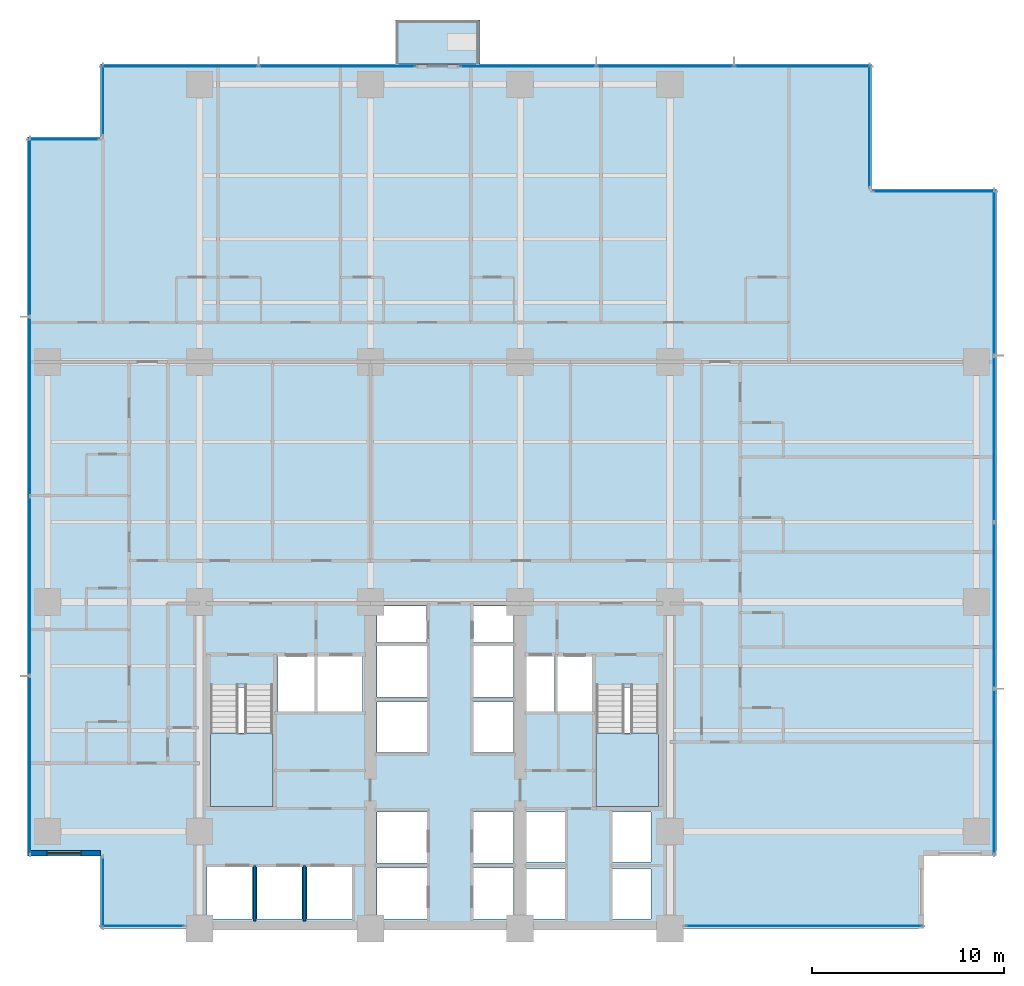
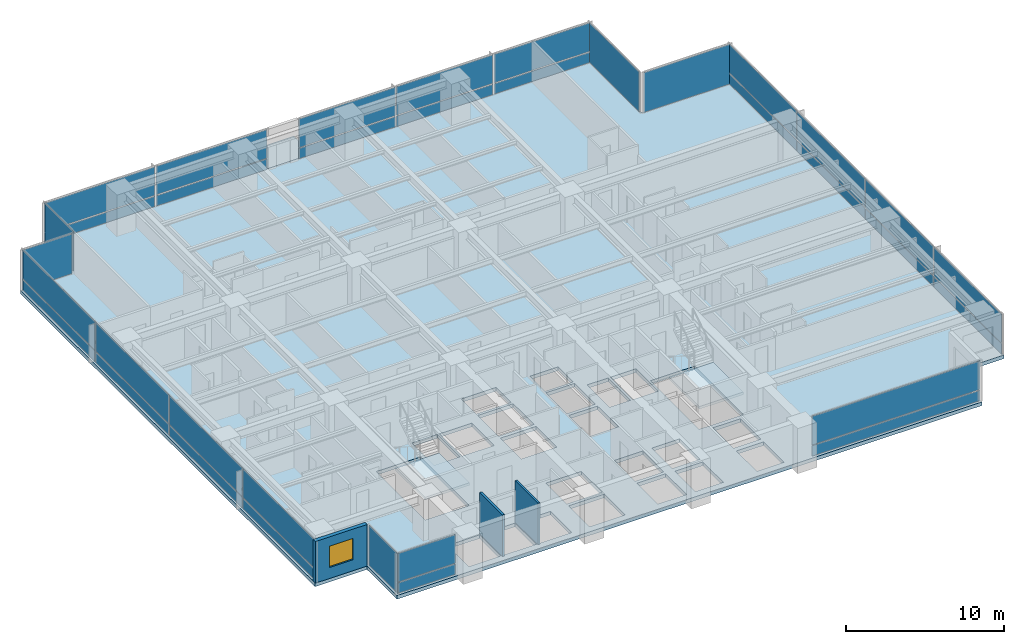
# One storey, part 6 of 16: 35 plates, 4 slabs, 3 walls, 1 window, 1 opening, 13 elements without a shape of their own.
"""IFC4 building model written with IfcOpenShell, lengths in metres."""

from ifc_helpers import new_model, si_unit, direction, frame, frame_2d, origin, origin_2d, place, context, subcontext, project, spatial, polyline, rectangle, outline, extrude, material, layer, layer_set, type_object, element, fill, aggregate, save


model = new_model("IFC4")

# Units and contexts
model_context = context("Model", 3, precision=1e-05, world=origin(), true_north=direction((0.0, 1.0)))
body_context = subcontext(model_context, "Body", "Model", "MODEL_VIEW")
ifc_project = project(units=[si_unit("LENGTHUNIT", "METRE"), si_unit("AREAUNIT", "SQUARE_METRE"), si_unit("VOLUMEUNIT", "CUBIC_METRE"), si_unit("PLANEANGLEUNIT", "RADIAN"), si_unit("MASSUNIT", "GRAM", prefix="KILO")], contexts=[model_context])

# Site, building, storey
site_placement = place(None, origin())
site = spatial("IfcSite", under=ifc_project, at=site_placement, CompositionType="ELEMENT")
building_placement = place(site_placement, origin())
building = spatial("IfcBuilding", under=site, at=building_placement, Name="Qalmaran Belvedere Hotel", CompositionType="ELEMENT")
storey_placement = place(building_placement, frame((0.0, 0.0, 36.89990234375)))
storey = spatial("IfcBuildingStorey", under=building, at=storey_placement, Name="L08", CompositionType="ELEMENT", Elevation=36.89990234375)

# Curtain wall, plate
ifc_material_1 = material(Name="Anodised Bronze Aluminium", Category="aluminium")
ifc_layer_1 = layer(ifc_material_1, 0.2099609375, Name="Anodised Bronze Aluminium")
ifc_layer_set_1 = layer_set([ifc_layer_1], Name="Anodised Bronze Aluminium")
curtain_wall_type = type_object("IfcCurtainWallType", Name="CW2-TOWER-LOWER", PredefinedType="NOTDEFINED", material=ifc_layer_set_1)
curtain_wall_1_placement = place(storey_placement, origin())
curtain_wall_1 = element("IfcCurtainWall", 1, at=curtain_wall_1_placement, inside=storey, type_object=curtain_wall_type, Name="L08 Curtain Wall CW2", PredefinedType="NOTDEFINED")
ifc_material_2 = material(Name="Anodised Bronze Spandrel Panel")
ifc_layer_2 = layer(ifc_material_2, 0.035888671875, Name="Anodised Bronze Spandrel Panel")
ifc_layer_set_2 = layer_set([ifc_layer_2], Name="Anodised Bronze Spandrel Panel")
plate_type_1 = type_object("IfcPlateType", Name="CWP-SPANDREL-36", PredefinedType="CURTAIN_PANEL", material=ifc_layer_set_2)
plate_1_placement = place(storey_placement, frame((17.35498046875, 3.6201171875, 0.0703125), z_axis=(0.0, 0.0, 1.0), x_axis=(1.0, 0.0, 0.0)))
plate_1 = element("IfcPlate", 2, at=plate_1_placement, type_object=plate_type_1, Name="CW2 panel 1.1", PredefinedType="CURTAIN_PANEL", context=body_context, shape_type="SweptSolid", body=[
    extrude(rectangle(XDim=4.260009765625, YDim=0.035888671875, at=origin_2d()), origin(), (0.0, 0.0, 1.0), 0.796630859375),
])

curtain_wall_2_placement = place(storey_placement, origin())
curtain_wall_2 = element("IfcCurtainWall", 3, at=curtain_wall_2_placement, inside=storey, type_object=curtain_wall_type, Name="L08 Curtain Wall CW2", PredefinedType="NOTDEFINED")
plate_2_placement = place(storey_placement, frame((51.77001953125, 3.6201171875, 0.0703125), z_axis=(0.0, 0.0, 1.0), x_axis=(1.0, 0.0, 0.0)))
plate_2 = element("IfcPlate", 4, at=plate_2_placement, type_object=plate_type_1, Name="CW2 panel 1.1", PredefinedType="CURTAIN_PANEL", context=body_context, shape_type="SweptSolid", body=[
    extrude(rectangle(XDim=12.31005859375, YDim=0.035888671875, at=origin_2d()), origin(), (0.0, 0.0, 1.0), 0.796630859375),
])

# Curtain wall, plates
curtain_wall_3_placement = place(storey_placement, origin())
curtain_wall_3 = element("IfcCurtainWall", 5, at=curtain_wall_3_placement, inside=storey, type_object=curtain_wall_type, Name="L08 Curtain Wall CW2", PredefinedType="NOTDEFINED")
plate_3_placement = place(storey_placement, frame((61.679931640625, 11.65625, 0.0703125), z_axis=(0.0, 0.0, 1.0), x_axis=(0.0, 1.0, 0.0)))
plate_3 = element("IfcPlate", 6, at=plate_3_placement, type_object=plate_type_1, Name="CW2 panel 1.1", PredefinedType="CURTAIN_PANEL", context=body_context, shape_type="SweptSolid", body=[
    extrude(rectangle(XDim=8.5625, YDim=0.035888671875, at=origin_2d()), origin(), (0.0, 0.0, 1.0), 0.796630859375),
])
plate_4_placement = place(storey_placement, frame((61.679931640625, 20.3125, 0.0703125), z_axis=(0.0, 0.0, 1.0), x_axis=(0.0, 1.0, 0.0)))
plate_4 = element("IfcPlate", 7, at=plate_4_placement, type_object=plate_type_1, Name="CW2 panel 2.1", PredefinedType="CURTAIN_PANEL", context=body_context, shape_type="SweptSolid", body=[
    extrude(rectangle(XDim=8.60009765625, YDim=0.035888671875, at=origin_2d()), origin(), (0.0, 0.0, 1.0), 0.796630859375),
])
plate_5_placement = place(storey_placement, frame((61.679931640625, 28.987548828125, 0.0703125), z_axis=(0.0, 0.0, 1.0), x_axis=(0.0, 1.0, 0.0)))
plate_5 = element("IfcPlate", 8, at=plate_5_placement, type_object=plate_type_1, Name="CW2 panel 3.1", PredefinedType="CURTAIN_PANEL", context=body_context, shape_type="SweptSolid", body=[
    extrude(rectangle(XDim=8.60009765625, YDim=0.035888671875, at=origin_2d()), origin(), (0.0, 0.0, 1.0), 0.796630859375),
])
plate_6_placement = place(storey_placement, frame((61.679931640625, 37.643798828125, 0.0703125), z_axis=(0.0, 0.0, 1.0), x_axis=(0.0, 1.0, 0.0)))
plate_6 = element("IfcPlate", 9, at=plate_6_placement, type_object=plate_type_1, Name="CW2 panel 4.1", PredefinedType="CURTAIN_PANEL", context=body_context, shape_type="SweptSolid", body=[
    extrude(rectangle(XDim=8.5625, YDim=0.035888671875, at=origin_2d()), origin(), (0.0, 0.0, 1.0), 0.796630859375),
])

curtain_wall_4_placement = place(storey_placement, origin())
curtain_wall_4 = element("IfcCurtainWall", 10, at=curtain_wall_4_placement, inside=storey, type_object=curtain_wall_type, Name="L08 Curtain Wall CW2", PredefinedType="NOTDEFINED")
plate_7_placement = place(storey_placement, frame((27.46875, 48.3798828125, 0.0703125), z_axis=(0.0, 0.0, 1.0), x_axis=(-1.0, 0.0, 0.0)))
plate_7 = element("IfcPlate", 11, at=plate_7_placement, type_object=plate_type_1, Name="CW2 panel 1.1", PredefinedType="CURTAIN_PANEL", context=body_context, shape_type="SweptSolid", body=[
    extrude(rectangle(XDim=8.112548828125, YDim=0.035888671875, at=origin_2d()), origin(), (0.0, 0.0, 1.0), 0.796630859375),
])
plate_8_placement = place(storey_placement, frame((19.28125, 48.3798828125, 0.0703125), z_axis=(0.0, 0.0, 1.0), x_axis=(-1.0, 0.0, 0.0)))
plate_8 = element("IfcPlate", 12, at=plate_8_placement, type_object=plate_type_1, Name="CW2 panel 2.1", PredefinedType="CURTAIN_PANEL", context=body_context, shape_type="SweptSolid", body=[
    extrude(rectangle(XDim=8.112548828125, YDim=0.035888671875, at=origin_2d()), origin(), (0.0, 0.0, 1.0), 0.796630859375),
])

curtain_wall_5_placement = place(storey_placement, origin())
curtain_wall_5 = element("IfcCurtainWall", 13, at=curtain_wall_5_placement, inside=storey, type_object=curtain_wall_type, Name="L08 Curtain Wall CW2", PredefinedType="NOTDEFINED")
plate_9_placement = place(storey_placement, frame((51.697998046875, 48.3798828125, 0.0703125), z_axis=(0.0, 0.0, 1.0), x_axis=(-1.0, 0.0, 0.0)))
plate_9 = element("IfcPlate", 14, at=plate_9_placement, type_object=plate_type_1, Name="CW2 panel 1.1", PredefinedType="CURTAIN_PANEL", context=body_context, shape_type="SweptSolid", body=[
    extrude(rectangle(XDim=7.05419921875, YDim=0.035888671875, at=origin_2d()), origin(), (0.0, 0.0, 1.0), 0.796630859375),
])
plate_10_placement = place(storey_placement, frame((44.550048828125, 48.3798828125, 0.0703125), z_axis=(0.0, 0.0, 1.0), x_axis=(-1.0, 0.0, 0.0)))
plate_10 = element("IfcPlate", 15, at=plate_10_placement, type_object=plate_type_1, Name="CW2 panel 2.1", PredefinedType="CURTAIN_PANEL", context=body_context, shape_type="SweptSolid", body=[
    extrude(rectangle(XDim=7.091552734375, YDim=0.035888671875, at=origin_2d()), origin(), (0.0, 0.0, 1.0), 0.796630859375),
])
plate_11_placement = place(storey_placement, frame((37.402099609375, 48.3798828125, 0.0703125), z_axis=(0.0, 0.0, 1.0), x_axis=(-1.0, 0.0, 0.0)))
plate_11 = element("IfcPlate", 16, at=plate_11_placement, type_object=plate_type_1, Name="CW2 panel 3.1", PredefinedType="CURTAIN_PANEL", context=body_context, shape_type="SweptSolid", body=[
    extrude(rectangle(XDim=7.05419921875, YDim=0.035888671875, at=origin_2d()), origin(), (0.0, 0.0, 1.0), 0.796630859375),
])

curtain_wall_6_placement = place(storey_placement, origin())
curtain_wall_6 = element("IfcCurtainWall", 17, at=curtain_wall_6_placement, inside=storey, type_object=curtain_wall_type, Name="L08 Curtain Wall CW2", PredefinedType="NOTDEFINED")
plate_12_placement = place(storey_placement, frame((11.469970703125, 40.00634765625, 0.0703125), z_axis=(0.0, 0.0, 1.0), x_axis=(0.0, -1.0, 0.0)))
plate_12 = element("IfcPlate", 18, at=plate_12_placement, type_object=plate_type_1, Name="CW2 panel 1.1", PredefinedType="CURTAIN_PANEL", context=body_context, shape_type="SweptSolid", body=[
    extrude(rectangle(XDim=9.237548828125, YDim=0.035888671875, at=origin_2d()), origin(), (0.0, 0.0, 1.0), 0.796630859375),
])
plate_13_placement = place(storey_placement, frame((11.469970703125, 30.675048828125, 0.0703125), z_axis=(0.0, 0.0, 1.0), x_axis=(0.0, -1.0, 0.0)))
plate_13 = element("IfcPlate", 19, at=plate_13_placement, type_object=plate_type_1, Name="CW2 panel 2.1", PredefinedType="CURTAIN_PANEL", context=body_context, shape_type="SweptSolid", body=[
    extrude(rectangle(XDim=9.27490234375, YDim=0.035888671875, at=origin_2d()), origin(), (0.0, 0.0, 1.0), 0.796630859375),
])
plate_14_placement = place(storey_placement, frame((11.469970703125, 21.324951171875, 0.0703125), z_axis=(0.0, 0.0, 1.0), x_axis=(0.0, -1.0, 0.0)))
plate_14 = element("IfcPlate", 20, at=plate_14_placement, type_object=plate_type_1, Name="CW2 panel 3.1", PredefinedType="CURTAIN_PANEL", context=body_context, shape_type="SweptSolid", body=[
    extrude(rectangle(XDim=9.27490234375, YDim=0.035888671875, at=origin_2d()), origin(), (0.0, 0.0, 1.0), 0.796630859375),
])
plate_15_placement = place(storey_placement, frame((11.469970703125, 11.99365234375, 0.0703125), z_axis=(0.0, 0.0, 1.0), x_axis=(0.0, -1.0, 0.0)))
plate_15 = element("IfcPlate", 21, at=plate_15_placement, type_object=plate_type_1, Name="CW2 panel 4.1", PredefinedType="CURTAIN_PANEL", context=body_context, shape_type="SweptSolid", body=[
    extrude(rectangle(XDim=9.237548828125, YDim=0.035888671875, at=origin_2d()), origin(), (0.0, 0.0, 1.0), 0.796630859375),
])

# Plate
ifc_material_3 = material(Name="Solar-Control Double Glazing", Category="glass")
ifc_layer_3 = layer(ifc_material_3, 0.028076171875, Name="Solar-Control Double Glazing")
ifc_layer_set_3 = layer_set([ifc_layer_3], Name="Solar-Control Double Glazing")
plate_type_2 = type_object("IfcPlateType", Name="CWP-VISION-28", PredefinedType="CURTAIN_PANEL", material=ifc_layer_set_3)
plate_16_placement = place(storey_placement, frame((17.35498046875, 3.6201171875, 0.936767578125), z_axis=(0.0, 0.0, 1.0), x_axis=(1.0, 0.0, 0.0)))
plate_16 = element("IfcPlate", 22, at=plate_16_placement, type_object=plate_type_2, Name="CW2 panel 1.2", PredefinedType="CURTAIN_PANEL", context=body_context, shape_type="SweptSolid", body=[
    extrude(rectangle(XDim=4.260009765625, YDim=0.028076171875, at=origin_2d()), origin(), (0.0, 0.0, 1.0), 2.21337890625),
])

aggregate(curtain_wall_1, [plate_1, plate_16])

plate_17_placement = place(storey_placement, frame((51.77001953125, 3.6201171875, 0.936767578125), z_axis=(0.0, 0.0, 1.0), x_axis=(1.0, 0.0, 0.0)))
plate_17 = element("IfcPlate", 23, at=plate_17_placement, type_object=plate_type_2, Name="CW2 panel 1.2", PredefinedType="CURTAIN_PANEL", context=body_context, shape_type="SweptSolid", body=[
    extrude(rectangle(XDim=12.31005859375, YDim=0.028076171875, at=origin_2d()), origin(), (0.0, 0.0, 1.0), 2.21337890625),
])

aggregate(curtain_wall_2, [plate_2, plate_17])

plate_18_placement = place(storey_placement, frame((61.679931640625, 11.65625, 0.936767578125), z_axis=(0.0, 0.0, 1.0), x_axis=(0.0, 1.0, 0.0)))
plate_18 = element("IfcPlate", 24, at=plate_18_placement, type_object=plate_type_2, Name="CW2 panel 1.2", PredefinedType="CURTAIN_PANEL", context=body_context, shape_type="SweptSolid", body=[
    extrude(rectangle(XDim=8.5625, YDim=0.028076171875, at=origin_2d()), origin(), (0.0, 0.0, 1.0), 2.21337890625),
])

plate_19_placement = place(storey_placement, frame((61.679931640625, 20.3125, 0.936767578125), z_axis=(0.0, 0.0, 1.0), x_axis=(0.0, 1.0, 0.0)))
plate_19 = element("IfcPlate", 25, at=plate_19_placement, type_object=plate_type_2, Name="CW2 panel 2.2", PredefinedType="CURTAIN_PANEL", context=body_context, shape_type="SweptSolid", body=[
    extrude(rectangle(XDim=8.60009765625, YDim=0.028076171875, at=origin_2d()), origin(), (0.0, 0.0, 1.0), 2.21337890625),
])

plate_20_placement = place(storey_placement, frame((61.679931640625, 28.987548828125, 0.936767578125), z_axis=(0.0, 0.0, 1.0), x_axis=(0.0, 1.0, 0.0)))
plate_20 = element("IfcPlate", 26, at=plate_20_placement, type_object=plate_type_2, Name="CW2 panel 3.2", PredefinedType="CURTAIN_PANEL", context=body_context, shape_type="SweptSolid", body=[
    extrude(rectangle(XDim=8.60009765625, YDim=0.028076171875, at=origin_2d()), origin(), (0.0, 0.0, 1.0), 2.21337890625),
])

plate_21_placement = place(storey_placement, frame((61.679931640625, 37.643798828125, 0.936767578125), z_axis=(0.0, 0.0, 1.0), x_axis=(0.0, 1.0, 0.0)))
plate_21 = element("IfcPlate", 27, at=plate_21_placement, type_object=plate_type_2, Name="CW2 panel 4.2", PredefinedType="CURTAIN_PANEL", context=body_context, shape_type="SweptSolid", body=[
    extrude(rectangle(XDim=8.5625, YDim=0.028076171875, at=origin_2d()), origin(), (0.0, 0.0, 1.0), 2.21337890625),
])

aggregate(curtain_wall_3, [plate_3, plate_18, plate_4, plate_19, plate_5, plate_20, plate_6, plate_21])

# Curtain wall, plate
curtain_wall_7_placement = place(storey_placement, origin())
curtain_wall_7 = element("IfcCurtainWall", 28, at=curtain_wall_7_placement, inside=storey, type_object=curtain_wall_type, Name="L08 Curtain Wall CW2", PredefinedType="NOTDEFINED")
plate_22_placement = place(storey_placement, frame((58.550048828125, 41.8798828125, 0.070068359375), z_axis=(0.0, 0.0, 1.0), x_axis=(-1.0, 0.0, 0.0)))
plate_22 = element("IfcPlate", 29, at=plate_22_placement, type_object=plate_type_2, Name="CW2 panel 1.1", PredefinedType="CURTAIN_PANEL", context=body_context, shape_type="SweptSolid", body=[
    extrude(rectangle(XDim=6.35009765625, YDim=0.028076171875, at=origin_2d()), origin(), (0.0, 0.0, 1.0), 3.080078125),
])
aggregate(curtain_wall_7, [plate_22])

curtain_wall_8_placement = place(storey_placement, origin())
curtain_wall_8 = element("IfcCurtainWall", 30, at=curtain_wall_8_placement, inside=storey, type_object=curtain_wall_type, Name="L08 Curtain Wall CW2", PredefinedType="NOTDEFINED")
plate_23_placement = place(storey_placement, frame((55.179931640625, 45.25, 0.070068359375), z_axis=(0.0, 0.0, 1.0), x_axis=(0.0, 1.0, 0.0)))
plate_23 = element("IfcPlate", 31, at=plate_23_placement, type_object=plate_type_2, Name="CW2 panel 1.1", PredefinedType="CURTAIN_PANEL", context=body_context, shape_type="SweptSolid", body=[
    extrude(rectangle(XDim=6.35009765625, YDim=0.028076171875, at=origin_2d()), origin(), (0.0, 0.0, 1.0), 3.080078125),
])
aggregate(curtain_wall_8, [plate_23])

# Plate
plate_24_placement = place(storey_placement, frame((27.46875, 48.3798828125, 0.936767578125), z_axis=(0.0, 0.0, 1.0), x_axis=(-1.0, 0.0, 0.0)))
plate_24 = element("IfcPlate", 32, at=plate_24_placement, type_object=plate_type_2, Name="CW2 panel 1.2", PredefinedType="CURTAIN_PANEL", context=body_context, shape_type="SweptSolid", body=[
    extrude(rectangle(XDim=8.112548828125, YDim=0.028076171875, at=origin_2d()), origin(), (0.0, 0.0, 1.0), 2.21337890625),
])

plate_25_placement = place(storey_placement, frame((19.28125, 48.3798828125, 0.936767578125), z_axis=(0.0, 0.0, 1.0), x_axis=(-1.0, 0.0, 0.0)))
plate_25 = element("IfcPlate", 33, at=plate_25_placement, type_object=plate_type_2, Name="CW2 panel 2.2", PredefinedType="CURTAIN_PANEL", context=body_context, shape_type="SweptSolid", body=[
    extrude(rectangle(XDim=8.112548828125, YDim=0.028076171875, at=origin_2d()), origin(), (0.0, 0.0, 1.0), 2.21337890625),
])

aggregate(curtain_wall_4, [plate_7, plate_24, plate_8, plate_25])

plate_26_placement = place(storey_placement, frame((51.697998046875, 48.3798828125, 0.936767578125), z_axis=(0.0, 0.0, 1.0), x_axis=(-1.0, 0.0, 0.0)))
plate_26 = element("IfcPlate", 34, at=plate_26_placement, type_object=plate_type_2, Name="CW2 panel 1.2", PredefinedType="CURTAIN_PANEL", context=body_context, shape_type="SweptSolid", body=[
    extrude(rectangle(XDim=7.05419921875, YDim=0.028076171875, at=origin_2d()), origin(), (0.0, 0.0, 1.0), 2.21337890625),
])

plate_27_placement = place(storey_placement, frame((44.550048828125, 48.3798828125, 0.936767578125), z_axis=(0.0, 0.0, 1.0), x_axis=(-1.0, 0.0, 0.0)))
plate_27 = element("IfcPlate", 35, at=plate_27_placement, type_object=plate_type_2, Name="CW2 panel 2.2", PredefinedType="CURTAIN_PANEL", context=body_context, shape_type="SweptSolid", body=[
    extrude(rectangle(XDim=7.091552734375, YDim=0.028076171875, at=origin_2d()), origin(), (0.0, 0.0, 1.0), 2.21337890625),
])

plate_28_placement = place(storey_placement, frame((37.402099609375, 48.3798828125, 0.936767578125), z_axis=(0.0, 0.0, 1.0), x_axis=(-1.0, 0.0, 0.0)))
plate_28 = element("IfcPlate", 36, at=plate_28_placement, type_object=plate_type_2, Name="CW2 panel 3.2", PredefinedType="CURTAIN_PANEL", context=body_context, shape_type="SweptSolid", body=[
    extrude(rectangle(XDim=7.05419921875, YDim=0.028076171875, at=origin_2d()), origin(), (0.0, 0.0, 1.0), 2.21337890625),
])

aggregate(curtain_wall_5, [plate_9, plate_26, plate_10, plate_27, plate_11, plate_28])

# Curtain wall, plate
curtain_wall_9_placement = place(storey_placement, origin())
curtain_wall_9 = element("IfcCurtainWall", 37, at=curtain_wall_9_placement, inside=storey, type_object=curtain_wall_type, Name="L08 Curtain Wall CW2", PredefinedType="NOTDEFINED")
plate_29_placement = place(storey_placement, frame((15.27001953125, 46.60009765625, 0.070068359375), z_axis=(0.0, 0.0, 1.0), x_axis=(0.0, -1.0, 0.0)))
plate_29 = element("IfcPlate", 38, at=plate_29_placement, type_object=plate_type_2, Name="CW2 panel 1.1", PredefinedType="CURTAIN_PANEL", context=body_context, shape_type="SweptSolid", body=[
    extrude(rectangle(XDim=3.64990234375, YDim=0.028076171875, at=origin_2d()), origin(), (0.0, 0.0, 1.0), 3.080078125),
])
aggregate(curtain_wall_9, [plate_29])

curtain_wall_10_placement = place(storey_placement, origin())
curtain_wall_10 = element("IfcCurtainWall", 39, at=curtain_wall_10_placement, inside=storey, type_object=curtain_wall_type, Name="L08 Curtain Wall CW2", PredefinedType="NOTDEFINED")
plate_30_placement = place(storey_placement, frame((13.25, 44.580078125, 0.070068359375), z_axis=(0.0, 0.0, 1.0), x_axis=(-1.0, 0.0, 0.0)))
plate_30 = element("IfcPlate", 40, at=plate_30_placement, type_object=plate_type_2, Name="CW2 panel 1.1", PredefinedType="CURTAIN_PANEL", context=body_context, shape_type="SweptSolid", body=[
    extrude(rectangle(XDim=3.64990234375, YDim=0.028076171875, at=origin_2d()), origin(), (0.0, 0.0, 1.0), 3.080078125),
])
aggregate(curtain_wall_10, [plate_30])

# Plate
plate_31_placement = place(storey_placement, frame((11.469970703125, 40.00634765625, 0.936767578125), z_axis=(0.0, 0.0, 1.0), x_axis=(0.0, -1.0, 0.0)))
plate_31 = element("IfcPlate", 41, at=plate_31_placement, type_object=plate_type_2, Name="CW2 panel 1.2", PredefinedType="CURTAIN_PANEL", context=body_context, shape_type="SweptSolid", body=[
    extrude(rectangle(XDim=9.237548828125, YDim=0.028076171875, at=origin_2d()), origin(), (0.0, 0.0, 1.0), 2.21337890625),
])

plate_32_placement = place(storey_placement, frame((11.469970703125, 30.675048828125, 0.936767578125), z_axis=(0.0, 0.0, 1.0), x_axis=(0.0, -1.0, 0.0)))
plate_32 = element("IfcPlate", 42, at=plate_32_placement, type_object=plate_type_2, Name="CW2 panel 2.2", PredefinedType="CURTAIN_PANEL", context=body_context, shape_type="SweptSolid", body=[
    extrude(rectangle(XDim=9.27490234375, YDim=0.028076171875, at=origin_2d()), origin(), (0.0, 0.0, 1.0), 2.21337890625),
])

plate_33_placement = place(storey_placement, frame((11.469970703125, 21.324951171875, 0.936767578125), z_axis=(0.0, 0.0, 1.0), x_axis=(0.0, -1.0, 0.0)))
plate_33 = element("IfcPlate", 43, at=plate_33_placement, type_object=plate_type_2, Name="CW2 panel 3.2", PredefinedType="CURTAIN_PANEL", context=body_context, shape_type="SweptSolid", body=[
    extrude(rectangle(XDim=9.27490234375, YDim=0.028076171875, at=origin_2d()), origin(), (0.0, 0.0, 1.0), 2.21337890625),
])

plate_34_placement = place(storey_placement, frame((11.469970703125, 11.99365234375, 0.936767578125), z_axis=(0.0, 0.0, 1.0), x_axis=(0.0, -1.0, 0.0)))
plate_34 = element("IfcPlate", 44, at=plate_34_placement, type_object=plate_type_2, Name="CW2 panel 4.2", PredefinedType="CURTAIN_PANEL", context=body_context, shape_type="SweptSolid", body=[
    extrude(rectangle(XDim=9.237548828125, YDim=0.028076171875, at=origin_2d()), origin(), (0.0, 0.0, 1.0), 2.21337890625),
])

aggregate(curtain_wall_6, [plate_12, plate_31, plate_13, plate_32, plate_14, plate_33, plate_15, plate_34])

# Curtain wall, plate
curtain_wall_11_placement = place(storey_placement, origin())
curtain_wall_11 = element("IfcCurtainWall", 45, at=curtain_wall_11_placement, inside=storey, type_object=curtain_wall_type, Name="L08 Curtain Wall CW2", PredefinedType="NOTDEFINED")
plate_35_placement = place(storey_placement, frame((15.27001953125, 5.39990234375, 0.070068359375), z_axis=(0.0, 0.0, 1.0), x_axis=(0.0, -1.0, 0.0)))
plate_35 = element("IfcPlate", 46, at=plate_35_placement, type_object=plate_type_2, Name="CW2 panel 1.1", PredefinedType="CURTAIN_PANEL", context=body_context, shape_type="SweptSolid", body=[
    extrude(rectangle(XDim=3.64990234375, YDim=0.028076171875, at=origin_2d()), origin(), (0.0, 0.0, 1.0), 3.080078125),
])
aggregate(curtain_wall_11, [plate_35])

# Slab
ifc_material_4 = material(Name="Concrete C40/50", Category="concrete")
ifc_layer_4 = layer(ifc_material_4, 0.219970703125, Name="Concrete C40/50")
ifc_layer_set_4 = layer_set([ifc_layer_4], Name="Concrete C40/50")
slab_type_1 = type_object("IfcSlabType", Name="SLB-BAL-220", PredefinedType="USERDEFINED", material=ifc_layer_set_4)
slab_1_placement = place(storey_placement, frame((0.0, 0.0, -0.219970703125)))
element("IfcSlab", 47, at=slab_1_placement, inside=storey, type_object=slab_type_1, Name="L08 Planted Tree Balcony Slab 1", ObjectType="BALCONY", PredefinedType="USERDEFINED", context=body_context, shape_type="SweptSolid", body=[
    extrude(outline(polyline([(30.5, 48.5), (34.89990234375, 48.5), (34.89990234375, 50.800048828125), (30.5, 50.800048828125), (30.5, 48.5)])), origin(), (0.0, 0.0, 1.0), 0.219970703125),
])

# Stair, slab
stair_type_1 = type_object("IfcStairType", Name="STR-ST-1-1450-R1750", PredefinedType="HALF_TURN_STAIR", material=ifc_material_4)
stair_1_placement = place(storey_placement, origin())
stair_1 = element("IfcStair", 48, at=stair_1_placement, inside=storey, type_object=stair_type_1, Name="L08 West Core Exit Stair ST-1", PredefinedType="HALF_TURN_STAIR")
ifc_layer_5 = layer(ifc_material_4, 0.199951171875, Name="Concrete C40/50")
ifc_layer_set_5 = layer_set([ifc_layer_5], Name="Concrete C40/50")
slab_type_2 = type_object("IfcSlabType", Name="SLB-STAIR-LANDING-200", PredefinedType="LANDING", material=ifc_layer_set_5)
slab_2_placement = place(storey_placement, frame((0.0, 0.0, 1.550048828125)))
slab_2 = element("IfcSlab", 49, at=slab_2_placement, type_object=slab_type_2, Name="ST-1 landing 1", PredefinedType="LANDING", context=body_context, shape_type="SweptSolid", body=[
    extrude(outline(polyline([(20.8798828125, 13.669921875), (20.8798828125, 9.85009765625), (24.1201171875, 9.85009765625), (24.1201171875, 13.669921875), (20.8798828125, 13.669921875)])), origin(), (0.0, 0.0, 1.0), 0.199951171875),
])
aggregate(stair_1, [slab_2])

stair_type_2 = type_object("IfcStairType", Name="STR-ST-2-1450-R1750", PredefinedType="HALF_TURN_STAIR", material=ifc_material_4)
stair_2_placement = place(storey_placement, origin())
stair_2 = element("IfcStair", 50, at=stair_2_placement, inside=storey, type_object=stair_type_2, Name="L08 East Core Exit Stair ST-2", PredefinedType="HALF_TURN_STAIR")
slab_3_placement = place(storey_placement, frame((0.0, 0.0, 1.550048828125)))
slab_3 = element("IfcSlab", 51, at=slab_3_placement, type_object=slab_type_2, Name="ST-2 landing 1", PredefinedType="LANDING", context=body_context, shape_type="SweptSolid", body=[
    extrude(outline(polyline([(40.9599609375, 13.669921875), (40.9599609375, 9.85009765625), (44.199951171875, 9.85009765625), (44.199951171875, 13.669921875), (40.9599609375, 13.669921875)])), origin(), (0.0, 0.0, 1.0), 0.199951171875),
])
aggregate(stair_2, [slab_3])

# Slab
ifc_layer_6 = layer(ifc_material_4, 0.280029296875, Name="Concrete C40/50")
ifc_layer_set_6 = layer_set([ifc_layer_6], Name="Concrete C40/50")
slab_type_3 = type_object("IfcSlabType", Name="SLB-Z1-280", PredefinedType="FLOOR", material=ifc_layer_set_6)
slab_4_placement = place(storey_placement, frame((0.0, 0.0, -0.27978515625)))
element("IfcSlab", 52, at=slab_4_placement, inside=storey, type_object=slab_type_3, Name="L08 Structural Floor Slab", PredefinedType="FLOOR", context=body_context, shape_type="SweptSolid", body=[
    extrude(outline(polyline([(15.14990234375, 3.5), (58.0, 3.5), (58.0, 7.300048828125), (61.800048828125, 7.300048828125), (61.800048828125, 42.0), (55.300048828125, 42.0), (55.300048828125, 48.5), (15.14990234375, 48.5), (15.14990234375, 44.699951171875), (11.35009765625, 44.699951171875), (11.35009765625, 7.300048828125), (15.14990234375, 7.300048828125), (15.14990234375, 3.5)]), holes=[polyline([(20.8798828125, 9.85009765625), (24.1201171875, 9.85009765625), (24.1201171875, 16.0400390625), (20.8798828125, 16.0400390625), (20.8798828125, 9.85009765625)]), polyline([(40.9599609375, 9.85009765625), (44.199951171875, 9.85009765625), (44.199951171875, 16.0400390625), (40.9599609375, 16.0400390625), (40.9599609375, 9.85009765625)]), polyline([(29.544921875, 4.0), (32.14990234375, 4.0), (32.14990234375, 6.64990234375), (29.544921875, 6.64990234375), (29.544921875, 4.0)]), polyline([(29.544921875, 6.89990234375), (32.14990234375, 6.89990234375), (32.14990234375, 9.550048828125), (29.544921875, 9.550048828125), (29.544921875, 6.89990234375)]), polyline([(34.550048828125, 4.0), (36.655029296875, 4.0), (36.655029296875, 6.64990234375), (34.550048828125, 6.64990234375), (34.550048828125, 4.0)]), polyline([(34.550048828125, 6.89990234375), (36.655029296875, 6.89990234375), (36.655029296875, 9.550048828125), (34.550048828125, 9.550048828125), (34.550048828125, 6.89990234375)]), polyline([(29.544921875, 12.64990234375), (32.14990234375, 12.64990234375), (32.14990234375, 15.300048828125), (29.544921875, 15.300048828125), (29.544921875, 12.64990234375)]), polyline([(29.544921875, 15.550048828125), (32.14990234375, 15.550048828125), (32.14990234375, 18.199951171875), (29.544921875, 18.199951171875), (29.544921875, 15.550048828125)]), polyline([(34.550048828125, 12.64990234375), (36.655029296875, 12.64990234375), (36.655029296875, 15.300048828125), (34.550048828125, 15.300048828125), (34.550048828125, 12.64990234375)]), polyline([(34.550048828125, 15.550048828125), (36.655029296875, 15.550048828125), (36.655029296875, 18.199951171875), (34.550048828125, 18.199951171875), (34.550048828125, 15.550048828125)]), polyline([(37.300048828125, 4.0), (39.35009765625, 4.0), (39.35009765625, 6.60009765625), (37.300048828125, 6.60009765625), (37.300048828125, 4.0)]), polyline([(37.300048828125, 6.949951171875), (39.35009765625, 6.949951171875), (39.35009765625, 9.550048828125), (37.300048828125, 9.550048828125), (37.300048828125, 6.949951171875)]), polyline([(41.800048828125, 4.0), (43.800048828125, 4.0), (43.800048828125, 6.60009765625), (41.800048828125, 6.60009765625), (41.800048828125, 4.0)]), polyline([(41.800048828125, 6.949951171875), (43.800048828125, 6.949951171875), (43.800048828125, 9.550048828125), (41.800048828125, 9.550048828125), (41.800048828125, 6.949951171875)]), polyline([(20.699951171875, 4.0), (23.050048828125, 4.0), (23.050048828125, 6.699951171875), (20.699951171875, 6.699951171875), (20.699951171875, 4.0)]), polyline([(23.300048828125, 4.0), (25.64990234375, 4.0), (25.64990234375, 6.699951171875), (23.300048828125, 6.699951171875), (23.300048828125, 4.0)]), polyline([(25.89990234375, 4.0), (28.25, 4.0), (28.25, 6.699951171875), (25.89990234375, 6.699951171875), (25.89990234375, 4.0)]), polyline([(24.39990234375, 14.800048828125), (26.300048828125, 14.800048828125), (26.300048828125, 17.64990234375), (24.39990234375, 17.64990234375), (24.39990234375, 14.800048828125)]), polyline([(38.949951171875, 14.800048828125), (40.820068359375, 14.800048828125), (40.820068359375, 17.64990234375), (38.949951171875, 17.64990234375), (38.949951171875, 14.800048828125)]), polyline([(26.449951171875, 14.800048828125), (28.800048828125, 14.800048828125), (28.800048828125, 17.64990234375), (26.449951171875, 17.64990234375), (26.449951171875, 14.800048828125)]), polyline([(37.25, 14.800048828125), (38.800048828125, 14.800048828125), (38.800048828125, 17.64990234375), (37.25, 17.64990234375), (37.25, 14.800048828125)]), polyline([(29.544921875, 18.3798828125), (32.1201171875, 18.3798828125), (32.1201171875, 20.300048828125), (29.544921875, 20.300048828125), (29.544921875, 18.3798828125)]), polyline([(34.580078125, 18.3798828125), (36.655029296875, 18.3798828125), (36.655029296875, 20.300048828125), (34.580078125, 20.300048828125), (34.580078125, 18.3798828125)])]), origin(), (0.0, 0.0, 1.0), 0.27978515625),
])

# Wall, opening, window
ifc_material_5 = material(Name="Anodised Bronze Cladding")
ifc_layer_7 = layer(ifc_material_5, 0.280029296875, Name="Anodised Bronze Cladding")
ifc_layer_set_7 = layer_set([ifc_layer_7], Name="Anodised Bronze Cladding")
wall_type_1 = type_object("IfcWallType", Name="WL-EXT-BRNZ-280", PredefinedType="SOLIDWALL", material=ifc_layer_set_7)
wall_placement = place(storey_placement, frame((11.35009765625, 7.419921875, 0.0), z_axis=(0.0, 0.0, 1.0), x_axis=(1.0, 0.0, 0.0)))
wall = element("IfcWall", 53, at=wall_placement, inside=storey, type_object=wall_type_1, Name="L08 Corner Notch Wall 10", PredefinedType="SOLIDWALL", context=body_context, shape_type="SweptSolid", body=[
    extrude(rectangle(XDim=3.7998046875, YDim=0.280029296875, at=frame_2d((1.89990234375, 0.0))), origin(), (0.0, 0.0, 1.0), 3.22021484375),
])
opening_placement = place(wall_placement, frame((1.02490234375, 0.0, 0.85009765625)))
opening = element("IfcOpeningElement", 54, at=opening_placement, cuts=wall, Name="Opening W-N17", PredefinedType="OPENING", context=body_context, shape_type="SweptSolid", body=[
    extrude(rectangle(XDim=1.75, YDim=1.64990234375, at=frame_2d((0.875, 0.824951171875))), frame((0.0, 0.14990234375, 0.0), z_axis=(0.0, -1.0, 0.0), x_axis=(1.0, 0.0, 0.0)), (0.0, 0.0, 1.0), 0.300048828125),
])
window_type = type_object("IfcWindowType", Name="WN-NTC-1750X1650", PartitioningType="SINGLE_PANEL", PredefinedType="WINDOW", material=ifc_material_3)
window_placement = place(opening_placement, origin())
window = element("IfcWindow", 55, at=window_placement, inside=storey, type_object=window_type, Name="L08 Corner Notch Window 10", OverallHeight=1.64990234375, OverallWidth=1.75, PartitioningType="SINGLE_PANEL", PredefinedType="WINDOW", context=body_context, shape_type="SweptSolid", body=[
    extrude(rectangle(XDim=1.75, YDim=1.64990234375, at=frame_2d((0.875, 0.824951171875))), frame((0.0, 0.030029296875, 0.0), z_axis=(0.0, -1.0, 0.0), x_axis=(1.0, 0.0, 0.0)), (0.0, 0.0, 1.0), 0.06005859375),
])
fill(opening, window)

# Walls
ifc_material_6 = material(Name="Gypsum Stud Partition")
ifc_layer_8 = layer(ifc_material_6, 0.14990234375, Name="Gypsum Stud Partition")
ifc_layer_set_8 = layer_set([ifc_layer_8], Name="Gypsum Stud Partition")
wall_type_2 = type_object("IfcWallType", Name="WL-INT-150-EI120", PredefinedType="PARTITIONING", material=ifc_layer_set_8)
for number, where, z_axis, x_axis, name in (
    (56, (23.179931640625, 3.89990234375, 0.0), (0.0, 0.0, 1.0), (0.0, 1.0, 0.0), "L08 Partition WL-POM1-L08"),
    (57, (25.780029296875, 3.89990234375, 0.0), (0.0, 0.0, 1.0), (0.0, 1.0, 0.0), "L08 Partition WL-POM2-L08"),
):
    element("IfcWall", number, at=place(storey_placement, frame(where, z_axis=z_axis, x_axis=x_axis)), inside=storey, type_object=wall_type_2, Name=name, PredefinedType="PARTITIONING", context=body_context, shape_type="SweptSolid", body=[
        extrude(rectangle(XDim=2.880126953125, YDim=0.14990234375, at=frame_2d((1.43994140625, 0.0))), origin(), (0.0, 0.0, 1.0), 3.22021484375),
    ])

save(model, "model.ifc")
